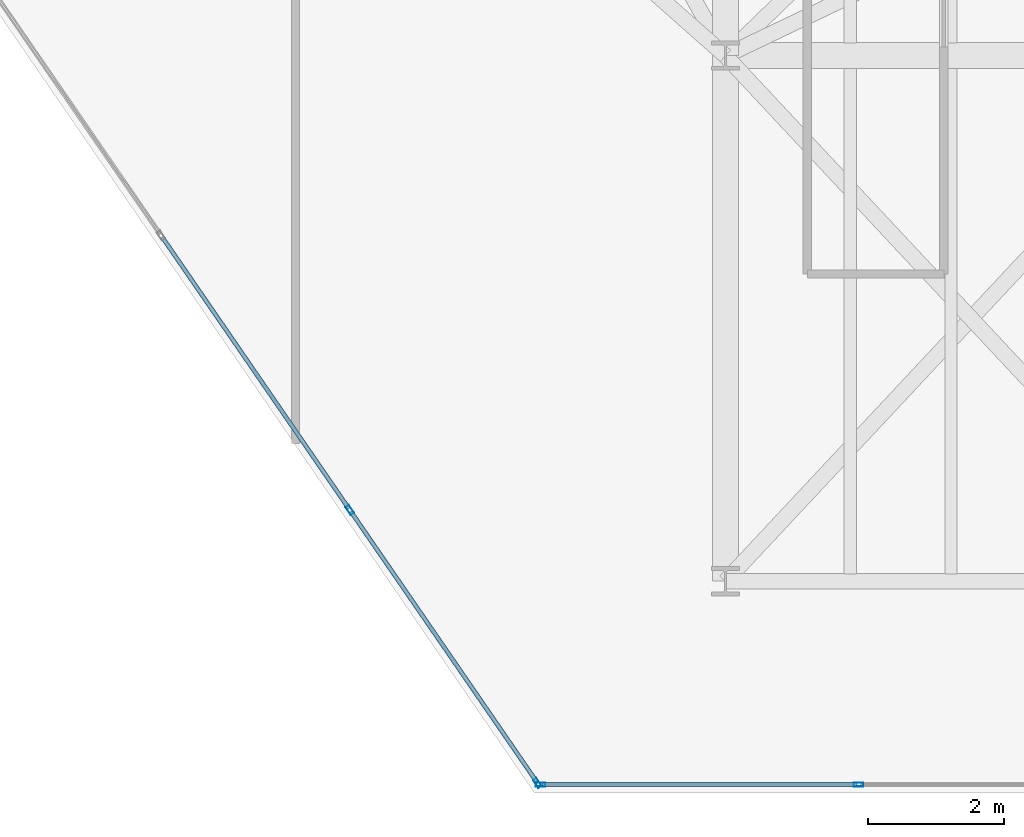
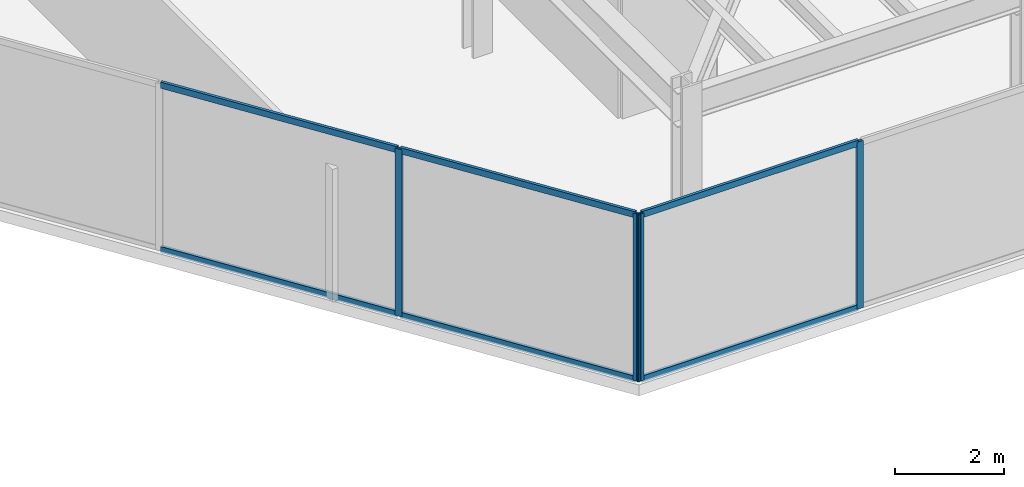
# One storey, part 16 of 26: 10 members, 2 elements without a shape of their own.
"""IFC4 building model written with IfcOpenShell, lengths in metres."""

from ifc_helpers import new_model, si_unit, direction, frame, origin, origin_2d, place, context, subcontext, project, spatial, hollow_rectangle, extrude, material, layer, layer_set, material_profile, profile_set, type_object, element, aggregate, save


model = new_model("IFC4")

# Units and contexts
model_context = context("Model", 3, precision=1e-05, world=origin(), true_north=direction((0.0, 1.0)))
body_context = subcontext(model_context, "Body", "Model", "MODEL_VIEW")
ifc_project = project(units=[si_unit("LENGTHUNIT", "METRE"), si_unit("AREAUNIT", "SQUARE_METRE"), si_unit("VOLUMEUNIT", "CUBIC_METRE"), si_unit("PLANEANGLEUNIT", "RADIAN"), si_unit("MASSUNIT", "GRAM", prefix="KILO")], contexts=[model_context])

# Site, building, storey
site_placement = place(None, origin())
site = spatial("IfcSite", under=ifc_project, at=site_placement, CompositionType="ELEMENT")
building_placement = place(site_placement, origin())
building = spatial("IfcBuilding", under=site, at=building_placement, Name="Kravanh Interchange Tower", CompositionType="ELEMENT")
storey_placement = place(building_placement, frame((0.0, 0.0, 180.5)))
storey = spatial("IfcBuildingStorey", under=building, at=storey_placement, Name="L43", CompositionType="ELEMENT", Elevation=180.5)

# Curtain wall, members
ifc_material_1 = material(Name="Anodised Bronze Aluminium", Category="aluminium")
ifc_layer = layer(ifc_material_1, 0.179931640625)
ifc_layer_set = layer_set([ifc_layer], Name="Unitised Curtain Wall System CW-Z3 Upper Office")
curtain_wall_type = type_object("IfcCurtainWallType", Name="Unitised Curtain Wall System CW-Z3 Upper Office", PredefinedType="NOTDEFINED", material=ifc_layer_set)
curtain_wall_1_placement = place(storey_placement, origin())
curtain_wall_1 = element("IfcCurtainWall", 1, at=curtain_wall_1_placement, inside=storey, type_object=curtain_wall_type, Name="L43 Unitised Curtain Wall CW-L43-03", PredefinedType="NOTDEFINED")
ifc_material_2 = material(Name="Anodised Bronze Aluminium", Category="aluminium")
ifc_material_profile_1 = material_profile(ifc_material_2, hollow_rectangle(XDim=0.06005859375, YDim=0.139892578125, WallThickness=0.00390625, at=origin_2d()), Name="ALU60X140X4")
ifc_profile_set_1 = profile_set([ifc_material_profile_1], Name="Anodised Bronze Aluminium")
member_type_1 = type_object("IfcMemberType", Name="Curtain Wall Mullion ALU60X140X4 Bronze", PredefinedType="MULLION", material=ifc_profile_set_1)
member_1_placement = place(storey_placement, frame((57.9521484375, 11.52001953125, 0.0), z_axis=(0.0, 0.0, 1.0), x_axis=(0.0, -1.0, 0.0)))
member_1 = element("IfcMember", 2, at=member_1_placement, type_object=member_type_1, Name="CW-Z3 mullion 2", PredefinedType="MULLION", context=body_context, shape_type="SweptSolid", body=[
    extrude(hollow_rectangle(XDim=0.06005859375, YDim=0.139892578125, WallThickness=0.00390625, at=origin_2d()), origin(), (0.0, 0.0, 1.0), 3.7548828125),
])
member_2_placement = place(storey_placement, frame((53.293212890625, 11.52001953125, 0.0), z_axis=(0.0, 0.0, 1.0), x_axis=(0.0, -1.0, 0.0)))
member_2 = element("IfcMember", 3, at=member_2_placement, type_object=member_type_1, Name="CW-Z3 mullion 3", PredefinedType="MULLION", context=body_context, shape_type="SweptSolid", body=[
    extrude(hollow_rectangle(XDim=0.06005859375, YDim=0.139892578125, WallThickness=0.00390625, at=origin_2d()), origin(), (0.0, 0.0, 1.0), 3.7548828125),
])

curtain_wall_2_placement = place(storey_placement, origin())
curtain_wall_2 = element("IfcCurtainWall", 4, at=curtain_wall_2_placement, inside=storey, type_object=curtain_wall_type, Name="L43 Unitised Curtain Wall CW-L43-04", PredefinedType="NOTDEFINED")
member_3_placement = place(storey_placement, frame((53.24609375, 11.544677734375, 0.0), z_axis=(0.0, 0.0, 1.0), x_axis=(-0.824042223035, -0.566528388217, 0.0)))
member_3 = element("IfcMember", 5, at=member_3_placement, type_object=member_type_1, Name="CW-Z3 mullion 1", PredefinedType="MULLION", context=body_context, shape_type="SweptSolid", body=[
    extrude(hollow_rectangle(XDim=0.06005859375, YDim=0.139892578125, WallThickness=0.00390625, at=origin_2d()), origin(), (0.0, 0.0, 1.0), 3.7548828125),
])
member_4_placement = place(storey_placement, frame((50.497314453125, 15.54296875, 0.0), z_axis=(0.0, 0.0, 1.0), x_axis=(-0.824042223035, -0.566528388217, 0.0)))
member_4 = element("IfcMember", 6, at=member_4_placement, type_object=member_type_1, Name="CW-Z3 mullion 2", PredefinedType="MULLION", context=body_context, shape_type="SweptSolid", body=[
    extrude(hollow_rectangle(XDim=0.06005859375, YDim=0.139892578125, WallThickness=0.00390625, at=origin_2d()), origin(), (0.0, 0.0, 1.0), 3.7548828125),
])

# Member
ifc_material_3 = material(Name="Anodised Bronze Aluminium", Category="aluminium")
ifc_material_profile_2 = material_profile(ifc_material_3, hollow_rectangle(XDim=0.06005859375, YDim=0.139892578125, WallThickness=0.00390625, at=origin_2d()), Name="ALU60X140X4")
ifc_profile_set_2 = profile_set([ifc_material_profile_2], Name="Anodised Bronze Aluminium")
member_type_2 = type_object("IfcMemberType", Name="Curtain Wall Transom ALU60X140X4 Bronze", PredefinedType="USERDEFINED", material=ifc_profile_set_2)
member_5_placement = place(storey_placement, frame((57.922119140625, 11.52001953125, 0.030029296875), z_axis=(-1.0, 0.0, 0.0), x_axis=(0.0, -1.0, 0.0)))
member_5 = element("IfcMember", 7, at=member_5_placement, type_object=member_type_2, Name="CW-Z3 transom 2.1", ObjectType="TRANSOM", PredefinedType="USERDEFINED", context=body_context, shape_type="SweptSolid", body=[
    extrude(hollow_rectangle(XDim=0.06005859375, YDim=0.139892578125, WallThickness=0.00390625, at=origin_2d()), origin(), (0.0, 0.0, 1.0), 4.59912109375),
])

member_6_placement = place(storey_placement, frame((57.922119140625, 11.52001953125, 3.72509765625), z_axis=(-1.0, 0.0, 0.0), x_axis=(0.0, -1.0, 0.0)))
member_6 = element("IfcMember", 8, at=member_6_placement, type_object=member_type_2, Name="CW-Z3 transom 2.2", ObjectType="TRANSOM", PredefinedType="USERDEFINED", context=body_context, shape_type="SweptSolid", body=[
    extrude(hollow_rectangle(XDim=0.06005859375, YDim=0.139892578125, WallThickness=0.00390625, at=origin_2d()), origin(), (0.0, 0.0, 1.0), 4.59912109375),
])

aggregate(curtain_wall_1, [member_1, member_2, member_5, member_6])

member_7_placement = place(storey_placement, frame((53.22900390625, 11.5693359375, 0.030029296875), z_axis=(-0.566483415384, 0.824073140016, 0.0), x_axis=(-0.824073140016, -0.566483415384, 0.0)))
member_7 = element("IfcMember", 9, at=member_7_placement, type_object=member_type_2, Name="CW-Z3 transom 1.1", ObjectType="TRANSOM", PredefinedType="USERDEFINED", context=body_context, shape_type="SweptSolid", body=[
    extrude(hollow_rectangle(XDim=0.06005859375, YDim=0.139892578125, WallThickness=0.00390625, at=origin_2d()), origin(), (0.0, 0.0, 1.0), 4.7919921875),
])

member_8_placement = place(storey_placement, frame((53.22900390625, 11.5693359375, 3.72509765625), z_axis=(-0.566483415384, 0.824073140016, 0.0), x_axis=(-0.824073140016, -0.566483415384, 0.0)))
member_8 = element("IfcMember", 10, at=member_8_placement, type_object=member_type_2, Name="CW-Z3 transom 1.2", ObjectType="TRANSOM", PredefinedType="USERDEFINED", context=body_context, shape_type="SweptSolid", body=[
    extrude(hollow_rectangle(XDim=0.06005859375, YDim=0.139892578125, WallThickness=0.00390625, at=origin_2d()), origin(), (0.0, 0.0, 1.0), 4.7919921875),
])

member_9_placement = place(storey_placement, frame((50.480224609375, 15.567626953125, 0.030029296875), z_axis=(-0.566503037389, 0.824059651135, 0.0), x_axis=(-0.824059651135, -0.566503037389, 0.0)))
member_9 = element("IfcMember", 11, at=member_9_placement, type_object=member_type_2, Name="CW-Z3 transom 2.1", ObjectType="TRANSOM", PredefinedType="USERDEFINED", context=body_context, shape_type="SweptSolid", body=[
    extrude(hollow_rectangle(XDim=0.06005859375, YDim=0.139892578125, WallThickness=0.00390625, at=origin_2d()), origin(), (0.0, 0.0, 1.0), 4.822021484375),
])

member_10_placement = place(storey_placement, frame((50.480224609375, 15.567626953125, 3.72509765625), z_axis=(-0.566503037389, 0.824059651135, 0.0), x_axis=(-0.824059651135, -0.566503037389, 0.0)))
member_10 = element("IfcMember", 12, at=member_10_placement, type_object=member_type_2, Name="CW-Z3 transom 2.2", ObjectType="TRANSOM", PredefinedType="USERDEFINED", context=body_context, shape_type="SweptSolid", body=[
    extrude(hollow_rectangle(XDim=0.06005859375, YDim=0.139892578125, WallThickness=0.00390625, at=origin_2d()), origin(), (0.0, 0.0, 1.0), 4.822021484375),
])

aggregate(curtain_wall_2, [member_3, member_4, member_7, member_8, member_9, member_10])

save(model, "model.ifc")
